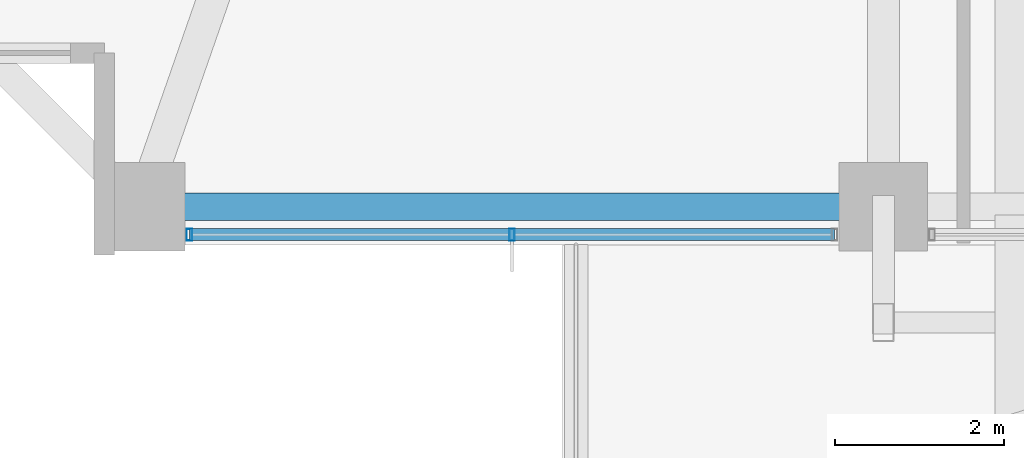
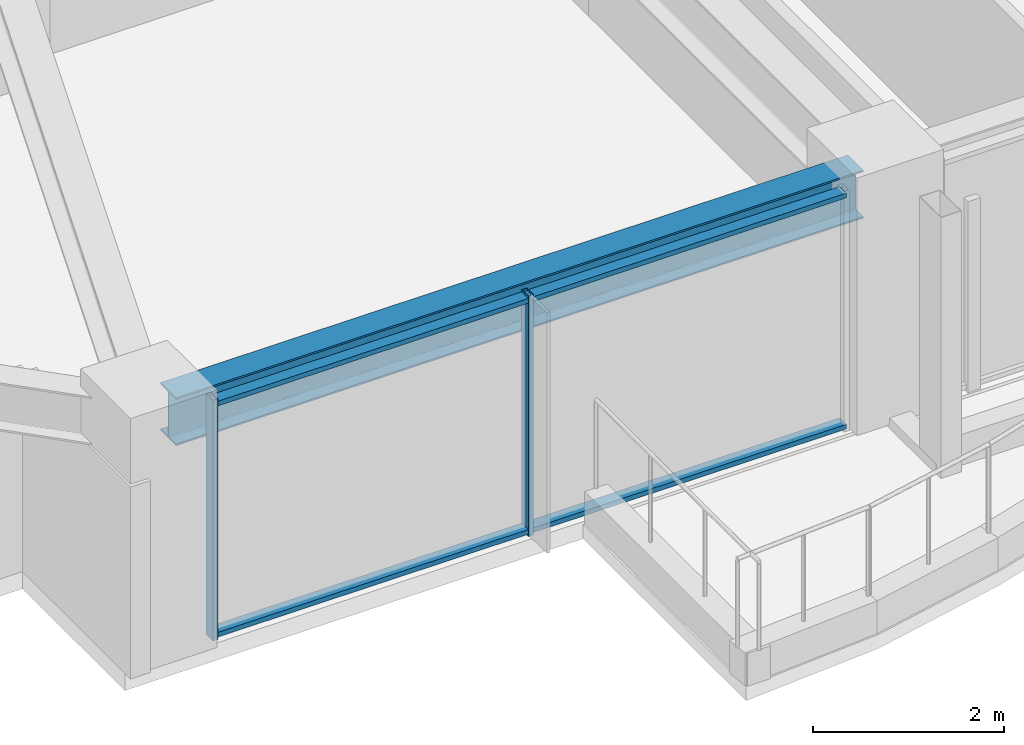
# One storey, part 2 of 38: 4 members, 1 beam, 1 element without a shape of its own.
"""IFC4 building model written with IfcOpenShell, lengths in metres."""

from ifc_helpers import new_model, si_unit, direction, frame, origin, origin_2d, place, context, subcontext, project, spatial, hollow_rectangle, i_section, extrude, material, material_profile, profile_set, type_object, element, aggregate, save


model = new_model("IFC4")

# Units and contexts
model_context = context("Model", 3, precision=1e-05, world=origin(), true_north=direction((0.0, 1.0)))
body_context = subcontext(model_context, "Body", "Model", "MODEL_VIEW")
ifc_project = project(units=[si_unit("LENGTHUNIT", "METRE"), si_unit("AREAUNIT", "SQUARE_METRE"), si_unit("VOLUMEUNIT", "CUBIC_METRE"), si_unit("PLANEANGLEUNIT", "RADIAN"), si_unit("MASSUNIT", "GRAM", prefix="KILO")], contexts=[model_context])

# Site, building, storey
site_placement = place(None, origin())
site = spatial("IfcSite", under=ifc_project, at=site_placement, CompositionType="ELEMENT")
building_placement = place(site_placement, origin())
building = spatial("IfcBuilding", under=site, at=building_placement, Name="Kolvaren Belvedere", CompositionType="ELEMENT")
storey_placement = place(building_placement, frame((0.0, 0.0, 72.199951171875)))
storey = spatial("IfcBuildingStorey", under=building, at=storey_placement, Name="L20", CompositionType="ELEMENT", Elevation=72.199951171875)

# Beam
ifc_material_1 = material(Name="Structural steel ASTM A992 Grade 50", Category="steel")
ifc_material_profile_1 = material_profile(ifc_material_1, i_section(OverallWidth=0.324951171875, OverallDepth=0.615966796875, WebThickness=0.013916015625, FlangeThickness=0.021484375, FilletRadius=0.02001953125, at=origin_2d()), Name="W24X117")
ifc_profile_set_1 = profile_set([ifc_material_profile_1], Name="Structural steel ASTM A992 Grade 50")
beam_type = type_object("IfcBeamType", Name="BM-SPAN-W24X117", PredefinedType="SPANDREL", material=ifc_profile_set_1)
beam_placement = place(storey_placement, frame((-13.163818359375, -19.949951171875, 2.77197265625), z_axis=(1.0, 0.0, 0.0), x_axis=(0.0, 1.0, 0.0)))
element("IfcBeam", 1, at=beam_placement, inside=storey, type_object=beam_type, Name="L20 Perimeter Spandrel S1-S2", PredefinedType="SPANDREL", context=body_context, shape_type="SweptSolid", body=[
    extrude(i_section(OverallWidth=0.324951171875, OverallDepth=0.615966796875, WebThickness=0.013916015625, FlangeThickness=0.021484375, FilletRadius=0.02001953125, at=origin_2d()), origin(), (0.0, 0.0, 1.0), 8.32763671875),
])

# Curtain wall, members
ifc_material_2 = material(Name="Anodised pale-metal aluminium AA 6063-T6", Category="aluminium")
curtain_wall_type = type_object("IfcCurtainWallType", Name="CW-Z2-MID", PredefinedType="NOTDEFINED", material=ifc_material_2)
curtain_wall_placement = place(storey_placement, origin())
curtain_wall = element("IfcCurtainWall", 2, at=curtain_wall_placement, inside=storey, type_object=curtain_wall_type, Name="L20 Unitised Curtain Wall FCW-L20-S2-B2", PredefinedType="NOTDEFINED")
ifc_material_3 = material(Name="Anodised pale-metal aluminium AA 6063-T6", Category="aluminium")
ifc_material_profile_2 = material_profile(ifc_material_3, hollow_rectangle(XDim=0.06494140625, YDim=0.139892578125, WallThickness=0.00390625, at=origin_2d()), Name="ALU-MUL-140X65")
ifc_profile_set_2 = profile_set([ifc_material_profile_2], Name="Anodised pale-metal aluminium AA 6063-T6")
member_type_1 = type_object("IfcMemberType", Name="CW-MUL-140", PredefinedType="MULLION", material=ifc_profile_set_2)
member_1_placement = place(storey_placement, frame((-9.0, -20.280029296875, 0.0), z_axis=(0.0, 0.0, 1.0), x_axis=(1.0, 0.0, 0.0)))
member_1 = element("IfcMember", 3, at=member_1_placement, type_object=member_type_1, Name="FCW-L20-S2-B2 Unitised Mullion 2", PredefinedType="MULLION", context=body_context, shape_type="SweptSolid", body=[
    extrude(hollow_rectangle(XDim=0.06494140625, YDim=0.139892578125, WallThickness=0.00390625, at=origin_2d()), origin(), (0.0, 0.0, 1.0), 3.080078125),
])
member_2_placement = place(storey_placement, frame((-12.822509765625, -20.280029296875, 0.0), z_axis=(0.0, 0.0, 1.0), x_axis=(1.0, 0.0, 0.0)))
member_2 = element("IfcMember", 4, at=member_2_placement, type_object=member_type_1, Name="FCW-L20-S2-B2 Unitised Mullion 3", PredefinedType="MULLION", context=body_context, shape_type="SweptSolid", body=[
    extrude(hollow_rectangle(XDim=0.06494140625, YDim=0.139892578125, WallThickness=0.00390625, at=origin_2d()), origin(), (0.0, 0.0, 1.0), 3.080078125),
])
ifc_material_4 = material(Name="Anodised pale-metal aluminium AA 6063-T6", Category="aluminium")
ifc_material_profile_3 = material_profile(ifc_material_4, hollow_rectangle(XDim=0.06005859375, YDim=0.139892578125, WallThickness=0.00390625, at=origin_2d()), Name="ALU-TRN-140X60")
ifc_profile_set_3 = profile_set([ifc_material_profile_3], Name="Anodised pale-metal aluminium AA 6063-T6")
member_type_2 = type_object("IfcMemberType", Name="CW-TRN-140", PredefinedType="USERDEFINED", material=ifc_profile_set_3)
member_3_placement = place(storey_placement, frame((-5.177490234375, -20.280029296875, 0.06005859375), z_axis=(-1.0, 0.0, 0.0), x_axis=(0.0, 0.0, 1.0)))
member_3 = element("IfcMember", 5, at=member_3_placement, type_object=member_type_2, Name="FCW-L20-S2-B2 Sill Transom", ObjectType="TRANSOM", PredefinedType="USERDEFINED", context=body_context, shape_type="SweptSolid", body=[
    extrude(hollow_rectangle(XDim=0.06005859375, YDim=0.139892578125, WallThickness=0.00390625, at=origin_2d()), origin(), (0.0, 0.0, 1.0), 7.64501953125),
])
member_4_placement = place(storey_placement, frame((-5.177490234375, -20.280029296875, 3.02001953125), z_axis=(-1.0, 0.0, 0.0), x_axis=(0.0, 0.0, 1.0)))
member_4 = element("IfcMember", 6, at=member_4_placement, type_object=member_type_2, Name="FCW-L20-S2-B2 Head Transom", ObjectType="TRANSOM", PredefinedType="USERDEFINED", context=body_context, shape_type="SweptSolid", body=[
    extrude(hollow_rectangle(XDim=0.06005859375, YDim=0.139892578125, WallThickness=0.00390625, at=origin_2d()), origin(), (0.0, 0.0, 1.0), 7.64501953125),
])
aggregate(curtain_wall, [member_1, member_2, member_3, member_4])

save(model, "model.ifc")
